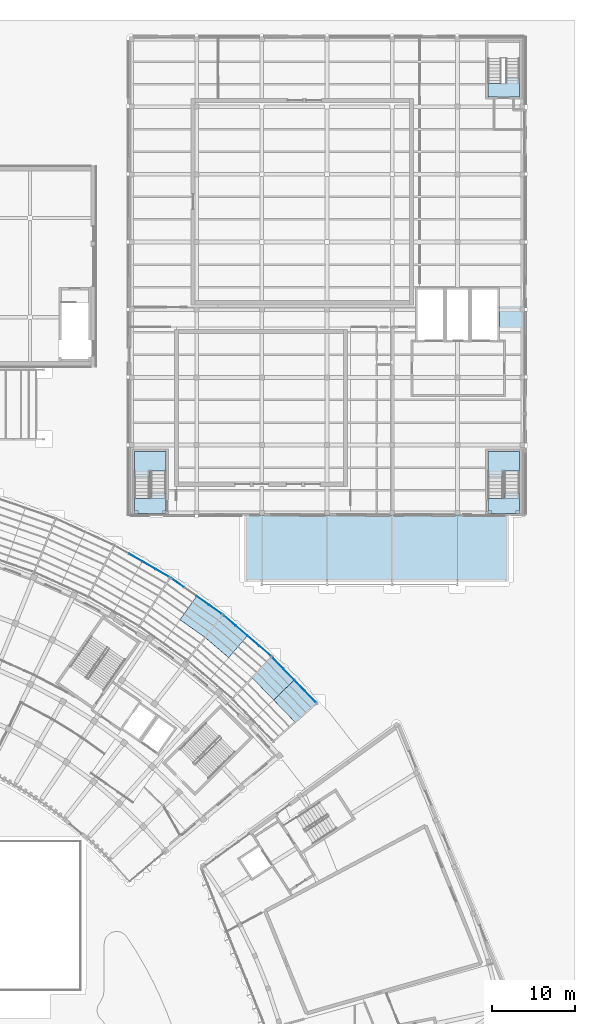
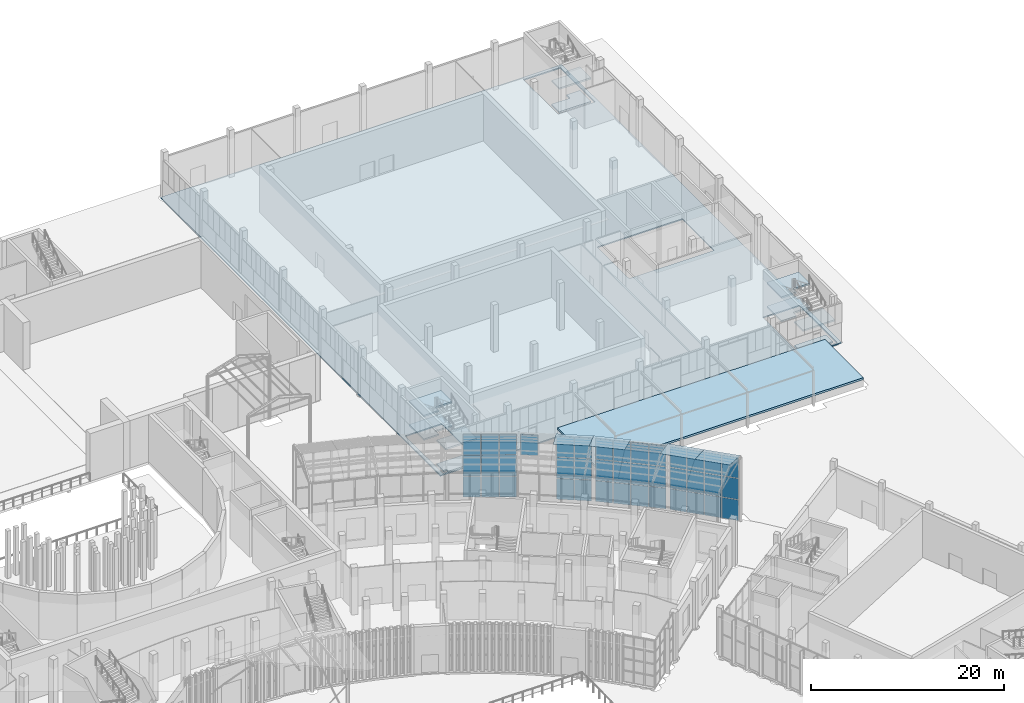
# One storey, part 88 of 155: 44 plates, 12 slabs, 7 elements without a shape of their own.
"""IFC4 building model written with IfcOpenShell, lengths in metres."""

from ifc_helpers import new_model, si_unit, direction, frame, origin, origin_2d, place, context, subcontext, project, spatial, polyline, rectangle, outline, extrude, material, layer, layer_set, type_object, element, aggregate, save


model = new_model("IFC4")

# Units and contexts
model_context = context("Model", 3, precision=1e-05, world=origin(), true_north=direction((0.0, 1.0)))
body_context = subcontext(model_context, "Body", "Model", "MODEL_VIEW")
ifc_project = project(units=[si_unit("LENGTHUNIT", "METRE"), si_unit("AREAUNIT", "SQUARE_METRE"), si_unit("VOLUMEUNIT", "CUBIC_METRE"), si_unit("PLANEANGLEUNIT", "RADIAN"), si_unit("MASSUNIT", "GRAM", prefix="KILO")], contexts=[model_context])

# Site, building, storey
site_placement = place(None, origin())
site = spatial("IfcSite", under=ifc_project, at=site_placement, CompositionType="ELEMENT")
building_placement = place(site_placement, origin())
building = spatial("IfcBuilding", under=site, at=building_placement, Name="Lunette Opera House", CompositionType="ELEMENT")
storey_placement = place(building_placement, origin())
storey = spatial("IfcBuildingStorey", under=building, at=storey_placement, Name="L00", CompositionType="ELEMENT", Elevation=0.0)

# Slabs
ifc_material_1 = material(Name="Concrete C35/45", Category="concrete")
ifc_layer_1 = layer(ifc_material_1, 0.199951171875)
ifc_layer_set_1 = layer_set([ifc_layer_1], Name="Concrete C35/45")
slab_type_1 = type_object("IfcSlabType", Name="CORE LANDING SLAB 200", PredefinedType="LANDING", material=ifc_layer_set_1)
slab_1_placement = place(storey_placement, frame((0.0, 0.0, -0.199951171875)))
element("IfcSlab", 1, at=slab_1_placement, inside=storey, type_object=slab_type_1, Name="ST18 floor landing", PredefinedType="LANDING", context=body_context, shape_type="SweptSolid", body=[
    extrude(outline(polyline([(136.699951171875, 78.199951171875), (136.699951171875, 80.0), (140.5, 80.0), (140.5, 78.60009765625), (140.10009765625, 78.60009765625), (140.10009765625, 78.199951171875), (137.10009765625, 78.199951171875), (137.10009765625, 78.60009765625), (136.699951171875, 78.60009765625), (136.699951171875, 78.199951171875)])), origin(), (0.0, 0.0, 1.0), 0.199951171875),
])
slab_2_placement = place(storey_placement, frame((0.0, 0.0, -0.199951171875)))
element("IfcSlab", 2, at=slab_2_placement, inside=storey, type_object=slab_type_1, Name="ST19 floor landing", PredefinedType="LANDING", context=body_context, shape_type="SweptSolid", body=[
    extrude(outline(polyline([(179.5, 128.699951171875), (179.5, 130.31005859375), (181.10009765625, 130.31005859375), (181.10009765625, 130.300048828125), (181.699951171875, 130.300048828125), (181.699951171875, 131.0), (183.300048828125, 131.0), (183.300048828125, 128.699951171875), (179.5, 128.699951171875)])), origin(), (0.0, 0.0, 1.0), 0.199951171875),
])
slab_3_placement = place(storey_placement, frame((0.0, 0.0, -0.199951171875)))
element("IfcSlab", 3, at=slab_3_placement, inside=storey, type_object=slab_type_1, Name="ST20 floor landing", PredefinedType="LANDING", context=body_context, shape_type="SweptSolid", body=[
    extrude(outline(polyline([(179.5, 80.0), (183.300048828125, 80.0), (183.300048828125, 78.199951171875), (183.300048828125, 78.60009765625), (182.89990234375, 78.60009765625), (182.89990234375, 78.199951171875), (179.89990234375, 78.199951171875), (179.89990234375, 78.60009765625), (179.5, 78.60009765625), (179.5, 80.0)])), origin(), (0.0, 0.0, 1.0), 0.199951171875),
])

# Curtain wall, plates
ifc_material_2 = material(Name="Aluminium", Category="aluminium")
ifc_layer_2 = layer(ifc_material_2, 0.139892578125)
ifc_layer_set_2 = layer_set([ifc_layer_2], Name="Aluminium")
curtain_wall_type = type_object("IfcCurtainWallType", Name="PASSAGE CURTAIN WALL", PredefinedType="NOTDEFINED", material=ifc_layer_set_2)
curtain_wall_1_placement = place(storey_placement, origin())
curtain_wall_1 = element("IfcCurtainWall", 4, at=curtain_wall_1_placement, inside=storey, type_object=curtain_wall_type, Name="Passage Curtain Wall EO3 L00", PredefinedType="NOTDEFINED")
ifc_material_3 = material(Name="Laminated glass", Category="glass")
ifc_layer_3 = layer(ifc_material_3, 0.028076171875)
ifc_layer_set_3 = layer_set([ifc_layer_3], Name="Laminated glass")
plate_type_1 = type_object("IfcPlateType", Name="CURTAIN PANEL LAMINATED GLASS 28", PredefinedType="CURTAIN_PANEL", material=ifc_layer_set_3)
plate_1_placement = place(storey_placement, frame((136.8046875, 72.86669921875, 0.06005859375), z_axis=(0.0, 0.0, 1.0), x_axis=(0.866937932475, -0.498416112536, 0.0)))
plate_1 = element("IfcPlate", 5, at=plate_1_placement, type_object=plate_type_1, Name="PP-X2009 panel 2.1", PredefinedType="CURTAIN_PANEL", context=body_context, shape_type="SweptSolid", body=[
    extrude(rectangle(XDim=1.818359375, YDim=0.028076171875, at=origin_2d()), origin(), (0.0, 0.0, 1.0), 2.610107421875),
])
plate_2_placement = place(storey_placement, frame((136.8046875, 72.86669921875, 2.72998046875), z_axis=(0.0, 0.0, 1.0), x_axis=(0.866937932475, -0.498416112536, 0.0)))
plate_2 = element("IfcPlate", 6, at=plate_2_placement, type_object=plate_type_1, Name="PP-X2009 panel 2.2", PredefinedType="CURTAIN_PANEL", context=body_context, shape_type="SweptSolid", body=[
    extrude(rectangle(XDim=1.818359375, YDim=0.028076171875, at=origin_2d()), origin(), (0.0, 0.0, 1.0), 2.639892578125),
])
plate_3_placement = place(storey_placement, frame((136.8046875, 72.86669921875, 5.43017578125), z_axis=(0.0, 0.0, 1.0), x_axis=(0.866937932475, -0.498416112536, 0.0)))
plate_3 = element("IfcPlate", 7, at=plate_3_placement, type_object=plate_type_1, Name="PP-X2009 panel 2.3", PredefinedType="CURTAIN_PANEL", context=body_context, shape_type="SweptSolid", body=[
    extrude(rectangle(XDim=1.818359375, YDim=0.028076171875, at=origin_2d()), origin(), (0.0, 0.0, 1.0), 2.610107421875),
])
plate_4_placement = place(storey_placement, frame((138.433349609375, 71.930419921875, 0.06005859375), z_axis=(0.0, 0.0, 1.0), x_axis=(0.866937932475, -0.498416112536, 0.0)))
plate_4 = element("IfcPlate", 8, at=plate_4_placement, type_object=plate_type_1, Name="PP-X2009 panel 3.1", PredefinedType="CURTAIN_PANEL", context=body_context, shape_type="SweptSolid", body=[
    extrude(rectangle(XDim=1.818359375, YDim=0.028076171875, at=origin_2d()), origin(), (0.0, 0.0, 1.0), 2.610107421875),
])
plate_5_placement = place(storey_placement, frame((138.433349609375, 71.930419921875, 2.72998046875), z_axis=(0.0, 0.0, 1.0), x_axis=(0.866937932475, -0.498416112536, 0.0)))
plate_5 = element("IfcPlate", 9, at=plate_5_placement, type_object=plate_type_1, Name="PP-X2009 panel 3.2", PredefinedType="CURTAIN_PANEL", context=body_context, shape_type="SweptSolid", body=[
    extrude(rectangle(XDim=1.818359375, YDim=0.028076171875, at=origin_2d()), origin(), (0.0, 0.0, 1.0), 2.639892578125),
])
plate_6_placement = place(storey_placement, frame((138.433349609375, 71.930419921875, 5.43017578125), z_axis=(0.0, 0.0, 1.0), x_axis=(0.866937932475, -0.498416112536, 0.0)))
plate_6 = element("IfcPlate", 10, at=plate_6_placement, type_object=plate_type_1, Name="PP-X2009 panel 3.3", PredefinedType="CURTAIN_PANEL", context=body_context, shape_type="SweptSolid", body=[
    extrude(rectangle(XDim=1.818359375, YDim=0.028076171875, at=origin_2d()), origin(), (0.0, 0.0, 1.0), 2.610107421875),
])
plate_7_placement = place(storey_placement, frame((140.048828125, 71.001708984375, 0.06005859375), z_axis=(0.0, 0.0, 1.0), x_axis=(0.866937932475, -0.498416112536, 0.0)))
plate_7 = element("IfcPlate", 11, at=plate_7_placement, type_object=plate_type_1, Name="PP-X2009 panel 4.1", PredefinedType="CURTAIN_PANEL", context=body_context, shape_type="SweptSolid", body=[
    extrude(rectangle(XDim=1.788330078125, YDim=0.028076171875, at=origin_2d()), origin(), (0.0, 0.0, 1.0), 2.610107421875),
])
plate_8_placement = place(storey_placement, frame((140.048828125, 71.001708984375, 2.72998046875), z_axis=(0.0, 0.0, 1.0), x_axis=(0.866937932475, -0.498416112536, 0.0)))
plate_8 = element("IfcPlate", 12, at=plate_8_placement, type_object=plate_type_1, Name="PP-X2009 panel 4.2", PredefinedType="CURTAIN_PANEL", context=body_context, shape_type="SweptSolid", body=[
    extrude(rectangle(XDim=1.788330078125, YDim=0.028076171875, at=origin_2d()), origin(), (0.0, 0.0, 1.0), 2.639892578125),
])
plate_9_placement = place(storey_placement, frame((140.048828125, 71.001708984375, 5.43017578125), z_axis=(0.0, 0.0, 1.0), x_axis=(0.866937932475, -0.498416112536, 0.0)))
plate_9 = element("IfcPlate", 13, at=plate_9_placement, type_object=plate_type_1, Name="PP-X2009 panel 4.3", PredefinedType="CURTAIN_PANEL", context=body_context, shape_type="SweptSolid", body=[
    extrude(rectangle(XDim=1.788330078125, YDim=0.028076171875, at=origin_2d()), origin(), (0.0, 0.0, 1.0), 2.610107421875),
])
aggregate(curtain_wall_1, [plate_1, plate_2, plate_3, plate_4, plate_5, plate_6, plate_7, plate_8, plate_9])

curtain_wall_2_placement = place(storey_placement, origin())
curtain_wall_2 = element("IfcCurtainWall", 14, at=curtain_wall_2_placement, inside=storey, type_object=curtain_wall_type, Name="Passage Curtain Wall EO4 L00", PredefinedType="NOTDEFINED")
plate_10_placement = place(storey_placement, frame((141.908203125, 69.8134765625, 5.43017578125), z_axis=(0.0, 0.0, 1.0), x_axis=(0.816691076431, -0.577075112682, 0.0)))
plate_10 = element("IfcPlate", 15, at=plate_10_placement, type_object=plate_type_1, Name="PP-X2010 panel 1.3", PredefinedType="CURTAIN_PANEL", context=body_context, shape_type="SweptSolid", body=[
    extrude(rectangle(XDim=1.7880859375, YDim=0.028076171875, at=origin_2d()), origin(), (0.0, 0.0, 1.0), 2.610107421875),
])
plate_11_placement = place(storey_placement, frame((144.96337890625, 67.654541015625, 0.06005859375), z_axis=(0.0, 0.0, 1.0), x_axis=(0.816691076431, -0.577075112682, 0.0)))
plate_11 = element("IfcPlate", 16, at=plate_11_placement, type_object=plate_type_1, Name="PP-X2010 panel 3.1", PredefinedType="CURTAIN_PANEL", context=body_context, shape_type="SweptSolid", body=[
    extrude(rectangle(XDim=1.818115234375, YDim=0.028076171875, at=origin_2d()), origin(), (0.0, 0.0, 1.0), 2.610107421875),
])
plate_12_placement = place(storey_placement, frame((144.96337890625, 67.654541015625, 2.72998046875), z_axis=(0.0, 0.0, 1.0), x_axis=(0.816691076431, -0.577075112682, 0.0)))
plate_12 = element("IfcPlate", 17, at=plate_12_placement, type_object=plate_type_1, Name="PP-X2010 panel 3.2", PredefinedType="CURTAIN_PANEL", context=body_context, shape_type="SweptSolid", body=[
    extrude(rectangle(XDim=1.818115234375, YDim=0.028076171875, at=origin_2d()), origin(), (0.0, 0.0, 1.0), 2.639892578125),
])
plate_13_placement = place(storey_placement, frame((144.96337890625, 67.654541015625, 5.43017578125), z_axis=(0.0, 0.0, 1.0), x_axis=(0.816691076431, -0.577075112682, 0.0)))
plate_13 = element("IfcPlate", 18, at=plate_13_placement, type_object=plate_type_1, Name="PP-X2010 panel 3.3", PredefinedType="CURTAIN_PANEL", context=body_context, shape_type="SweptSolid", body=[
    extrude(rectangle(XDim=1.818115234375, YDim=0.028076171875, at=origin_2d()), origin(), (0.0, 0.0, 1.0), 2.610107421875),
])
plate_14_placement = place(storey_placement, frame((146.48486328125, 66.57958984375, 0.06005859375), z_axis=(0.0, 0.0, 1.0), x_axis=(0.816691076431, -0.577075112682, 0.0)))
plate_14 = element("IfcPlate", 19, at=plate_14_placement, type_object=plate_type_1, Name="PP-X2010 panel 4.1", PredefinedType="CURTAIN_PANEL", context=body_context, shape_type="SweptSolid", body=[
    extrude(rectangle(XDim=1.7880859375, YDim=0.028076171875, at=origin_2d()), origin(), (0.0, 0.0, 1.0), 2.610107421875),
])
plate_15_placement = place(storey_placement, frame((146.48486328125, 66.57958984375, 2.72998046875), z_axis=(0.0, 0.0, 1.0), x_axis=(0.816691076431, -0.577075112682, 0.0)))
plate_15 = element("IfcPlate", 20, at=plate_15_placement, type_object=plate_type_1, Name="PP-X2010 panel 4.2", PredefinedType="CURTAIN_PANEL", context=body_context, shape_type="SweptSolid", body=[
    extrude(rectangle(XDim=1.7880859375, YDim=0.028076171875, at=origin_2d()), origin(), (0.0, 0.0, 1.0), 2.639892578125),
])
plate_16_placement = place(storey_placement, frame((146.48486328125, 66.57958984375, 5.43017578125), z_axis=(0.0, 0.0, 1.0), x_axis=(0.816691076431, -0.577075112682, 0.0)))
plate_16 = element("IfcPlate", 21, at=plate_16_placement, type_object=plate_type_1, Name="PP-X2010 panel 4.3", PredefinedType="CURTAIN_PANEL", context=body_context, shape_type="SweptSolid", body=[
    extrude(rectangle(XDim=1.7880859375, YDim=0.028076171875, at=origin_2d()), origin(), (0.0, 0.0, 1.0), 2.610107421875),
])
aggregate(curtain_wall_2, [plate_10, plate_11, plate_12, plate_13, plate_14, plate_15, plate_16])

curtain_wall_3_placement = place(storey_placement, origin())
curtain_wall_3 = element("IfcCurtainWall", 22, at=curtain_wall_3_placement, inside=storey, type_object=curtain_wall_type, Name="Passage Curtain Wall EO5 L00", PredefinedType="NOTDEFINED")
plate_17_placement = place(storey_placement, frame((148.225341796875, 65.222900390625, 0.06005859375), z_axis=(0.0, 0.0, 1.0), x_axis=(0.759200227916, -0.650857137882, 0.0)))
plate_17 = element("IfcPlate", 23, at=plate_17_placement, type_object=plate_type_1, Name="PP-X2011 panel 1.1", PredefinedType="CURTAIN_PANEL", context=body_context, shape_type="SweptSolid", body=[
    extrude(rectangle(XDim=1.788330078125, YDim=0.028076171875, at=origin_2d()), origin(), (0.0, 0.0, 1.0), 2.610107421875),
])
plate_18_placement = place(storey_placement, frame((148.225341796875, 65.222900390625, 2.72998046875), z_axis=(0.0, 0.0, 1.0), x_axis=(0.759200227916, -0.650857137882, 0.0)))
plate_18 = element("IfcPlate", 24, at=plate_18_placement, type_object=plate_type_1, Name="PP-X2011 panel 1.2", PredefinedType="CURTAIN_PANEL", context=body_context, shape_type="SweptSolid", body=[
    extrude(rectangle(XDim=1.788330078125, YDim=0.028076171875, at=origin_2d()), origin(), (0.0, 0.0, 1.0), 2.639892578125),
])
plate_19_placement = place(storey_placement, frame((148.225341796875, 65.222900390625, 5.43017578125), z_axis=(0.0, 0.0, 1.0), x_axis=(0.759200227916, -0.650857137882, 0.0)))
plate_19 = element("IfcPlate", 25, at=plate_19_placement, type_object=plate_type_1, Name="PP-X2011 panel 1.3", PredefinedType="CURTAIN_PANEL", context=body_context, shape_type="SweptSolid", body=[
    extrude(rectangle(XDim=1.788330078125, YDim=0.028076171875, at=origin_2d()), origin(), (0.0, 0.0, 1.0), 2.610107421875),
])
plate_20_placement = place(storey_placement, frame((149.639892578125, 64.01025390625, 0.06005859375), z_axis=(0.0, 0.0, 1.0), x_axis=(0.759200227916, -0.650857137882, 0.0)))
plate_20 = element("IfcPlate", 26, at=plate_20_placement, type_object=plate_type_1, Name="PP-X2011 panel 2.1", PredefinedType="CURTAIN_PANEL", context=body_context, shape_type="SweptSolid", body=[
    extrude(rectangle(XDim=1.818359375, YDim=0.028076171875, at=origin_2d()), origin(), (0.0, 0.0, 1.0), 2.610107421875),
])
plate_21_placement = place(storey_placement, frame((149.639892578125, 64.01025390625, 2.72998046875), z_axis=(0.0, 0.0, 1.0), x_axis=(0.759200227916, -0.650857137882, 0.0)))
plate_21 = element("IfcPlate", 27, at=plate_21_placement, type_object=plate_type_1, Name="PP-X2011 panel 2.2", PredefinedType="CURTAIN_PANEL", context=body_context, shape_type="SweptSolid", body=[
    extrude(rectangle(XDim=1.818359375, YDim=0.028076171875, at=origin_2d()), origin(), (0.0, 0.0, 1.0), 2.639892578125),
])
plate_22_placement = place(storey_placement, frame((149.639892578125, 64.01025390625, 5.43017578125), z_axis=(0.0, 0.0, 1.0), x_axis=(0.759200227916, -0.650857137882, 0.0)))
plate_22 = element("IfcPlate", 28, at=plate_22_placement, type_object=plate_type_1, Name="PP-X2011 panel 2.3", PredefinedType="CURTAIN_PANEL", context=body_context, shape_type="SweptSolid", body=[
    extrude(rectangle(XDim=1.818359375, YDim=0.028076171875, at=origin_2d()), origin(), (0.0, 0.0, 1.0), 2.610107421875),
])
plate_23_placement = place(storey_placement, frame((151.06591796875, 62.787841796875, 0.06005859375), z_axis=(0.0, 0.0, 1.0), x_axis=(0.759200227916, -0.650857137882, 0.0)))
plate_23 = element("IfcPlate", 29, at=plate_23_placement, type_object=plate_type_1, Name="PP-X2011 panel 3.1", PredefinedType="CURTAIN_PANEL", context=body_context, shape_type="SweptSolid", body=[
    extrude(rectangle(XDim=1.818359375, YDim=0.028076171875, at=origin_2d()), origin(), (0.0, 0.0, 1.0), 2.610107421875),
])
plate_24_placement = place(storey_placement, frame((151.06591796875, 62.787841796875, 2.72998046875), z_axis=(0.0, 0.0, 1.0), x_axis=(0.759200227916, -0.650857137882, 0.0)))
plate_24 = element("IfcPlate", 30, at=plate_24_placement, type_object=plate_type_1, Name="PP-X2011 panel 3.2", PredefinedType="CURTAIN_PANEL", context=body_context, shape_type="SweptSolid", body=[
    extrude(rectangle(XDim=1.818359375, YDim=0.028076171875, at=origin_2d()), origin(), (0.0, 0.0, 1.0), 2.639892578125),
])
plate_25_placement = place(storey_placement, frame((151.06591796875, 62.787841796875, 5.43017578125), z_axis=(0.0, 0.0, 1.0), x_axis=(0.759200227916, -0.650857137882, 0.0)))
plate_25 = element("IfcPlate", 31, at=plate_25_placement, type_object=plate_type_1, Name="PP-X2011 panel 3.3", PredefinedType="CURTAIN_PANEL", context=body_context, shape_type="SweptSolid", body=[
    extrude(rectangle(XDim=1.818359375, YDim=0.028076171875, at=origin_2d()), origin(), (0.0, 0.0, 1.0), 2.610107421875),
])
plate_26_placement = place(storey_placement, frame((152.480712890625, 61.574951171875, 0.06005859375), z_axis=(0.0, 0.0, 1.0), x_axis=(0.759200227916, -0.650857137882, 0.0)))
plate_26 = element("IfcPlate", 32, at=plate_26_placement, type_object=plate_type_1, Name="PP-X2011 panel 4.1", PredefinedType="CURTAIN_PANEL", context=body_context, shape_type="SweptSolid", body=[
    extrude(rectangle(XDim=1.788330078125, YDim=0.028076171875, at=origin_2d()), origin(), (0.0, 0.0, 1.0), 2.610107421875),
])
plate_27_placement = place(storey_placement, frame((152.480712890625, 61.574951171875, 2.72998046875), z_axis=(0.0, 0.0, 1.0), x_axis=(0.759200227916, -0.650857137882, 0.0)))
plate_27 = element("IfcPlate", 33, at=plate_27_placement, type_object=plate_type_1, Name="PP-X2011 panel 4.2", PredefinedType="CURTAIN_PANEL", context=body_context, shape_type="SweptSolid", body=[
    extrude(rectangle(XDim=1.788330078125, YDim=0.028076171875, at=origin_2d()), origin(), (0.0, 0.0, 1.0), 2.639892578125),
])
plate_28_placement = place(storey_placement, frame((152.480712890625, 61.574951171875, 5.43017578125), z_axis=(0.0, 0.0, 1.0), x_axis=(0.759200227916, -0.650857137882, 0.0)))
plate_28 = element("IfcPlate", 34, at=plate_28_placement, type_object=plate_type_1, Name="PP-X2011 panel 4.3", PredefinedType="CURTAIN_PANEL", context=body_context, shape_type="SweptSolid", body=[
    extrude(rectangle(XDim=1.788330078125, YDim=0.028076171875, at=origin_2d()), origin(), (0.0, 0.0, 1.0), 2.610107421875),
])
aggregate(curtain_wall_3, [plate_17, plate_18, plate_19, plate_20, plate_21, plate_22, plate_23, plate_24, plate_25, plate_26, plate_27, plate_28])

curtain_wall_4_placement = place(storey_placement, origin())
curtain_wall_4 = element("IfcCurtainWall", 35, at=curtain_wall_4_placement, inside=storey, type_object=curtain_wall_type, Name="Passage Curtain Wall EO6 L00", PredefinedType="NOTDEFINED")
plate_29_placement = place(storey_placement, frame((154.08642578125, 60.06201171875, 0.06005859375), z_axis=(0.0, 0.0, 1.0), x_axis=(0.695230751825, -0.718786617652, 0.0)))
plate_29 = element("IfcPlate", 36, at=plate_29_placement, type_object=plate_type_1, Name="PP-X2012 panel 1.1", PredefinedType="CURTAIN_PANEL", context=body_context, shape_type="SweptSolid", body=[
    extrude(rectangle(XDim=1.78857421875, YDim=0.028076171875, at=origin_2d()), origin(), (0.0, 0.0, 1.0), 2.610107421875),
])
plate_30_placement = place(storey_placement, frame((154.08642578125, 60.06201171875, 2.72998046875), z_axis=(0.0, 0.0, 1.0), x_axis=(0.695230751825, -0.718786617652, 0.0)))
plate_30 = element("IfcPlate", 37, at=plate_30_placement, type_object=plate_type_1, Name="PP-X2012 panel 1.2", PredefinedType="CURTAIN_PANEL", context=body_context, shape_type="SweptSolid", body=[
    extrude(rectangle(XDim=1.78857421875, YDim=0.028076171875, at=origin_2d()), origin(), (0.0, 0.0, 1.0), 2.639892578125),
])
plate_31_placement = place(storey_placement, frame((154.08642578125, 60.06201171875, 5.43017578125), z_axis=(0.0, 0.0, 1.0), x_axis=(0.695230751825, -0.718786617652, 0.0)))
plate_31 = element("IfcPlate", 38, at=plate_31_placement, type_object=plate_type_1, Name="PP-X2012 panel 1.3", PredefinedType="CURTAIN_PANEL", context=body_context, shape_type="SweptSolid", body=[
    extrude(rectangle(XDim=1.78857421875, YDim=0.028076171875, at=origin_2d()), origin(), (0.0, 0.0, 1.0), 2.610107421875),
])
plate_32_placement = place(storey_placement, frame((155.382080078125, 58.72265625, 0.06005859375), z_axis=(0.0, 0.0, 1.0), x_axis=(0.695230751825, -0.718786617652, 0.0)))
plate_32 = element("IfcPlate", 39, at=plate_32_placement, type_object=plate_type_1, Name="PP-X2012 panel 2.1", PredefinedType="CURTAIN_PANEL", context=body_context, shape_type="SweptSolid", body=[
    extrude(rectangle(XDim=1.818603515625, YDim=0.028076171875, at=origin_2d()), origin(), (0.0, 0.0, 1.0), 2.610107421875),
])
plate_33_placement = place(storey_placement, frame((155.382080078125, 58.72265625, 2.72998046875), z_axis=(0.0, 0.0, 1.0), x_axis=(0.695230751825, -0.718786617652, 0.0)))
plate_33 = element("IfcPlate", 40, at=plate_33_placement, type_object=plate_type_1, Name="PP-X2012 panel 2.2", PredefinedType="CURTAIN_PANEL", context=body_context, shape_type="SweptSolid", body=[
    extrude(rectangle(XDim=1.818603515625, YDim=0.028076171875, at=origin_2d()), origin(), (0.0, 0.0, 1.0), 2.639892578125),
])
plate_34_placement = place(storey_placement, frame((155.382080078125, 58.72265625, 5.43017578125), z_axis=(0.0, 0.0, 1.0), x_axis=(0.695230751825, -0.718786617652, 0.0)))
plate_34 = element("IfcPlate", 41, at=plate_34_placement, type_object=plate_type_1, Name="PP-X2012 panel 2.3", PredefinedType="CURTAIN_PANEL", context=body_context, shape_type="SweptSolid", body=[
    extrude(rectangle(XDim=1.818603515625, YDim=0.028076171875, at=origin_2d()), origin(), (0.0, 0.0, 1.0), 2.610107421875),
])
plate_35_placement = place(storey_placement, frame((156.68798828125, 57.372314453125, 0.06005859375), z_axis=(0.0, 0.0, 1.0), x_axis=(0.695230751825, -0.718786617652, 0.0)))
plate_35 = element("IfcPlate", 42, at=plate_35_placement, type_object=plate_type_1, Name="PP-X2012 panel 3.1", PredefinedType="CURTAIN_PANEL", context=body_context, shape_type="SweptSolid", body=[
    extrude(rectangle(XDim=1.818603515625, YDim=0.028076171875, at=origin_2d()), origin(), (0.0, 0.0, 1.0), 2.610107421875),
])
plate_36_placement = place(storey_placement, frame((156.68798828125, 57.372314453125, 2.72998046875), z_axis=(0.0, 0.0, 1.0), x_axis=(0.695230751825, -0.718786617652, 0.0)))
plate_36 = element("IfcPlate", 43, at=plate_36_placement, type_object=plate_type_1, Name="PP-X2012 panel 3.2", PredefinedType="CURTAIN_PANEL", context=body_context, shape_type="SweptSolid", body=[
    extrude(rectangle(XDim=1.818603515625, YDim=0.028076171875, at=origin_2d()), origin(), (0.0, 0.0, 1.0), 2.639892578125),
])
plate_37_placement = place(storey_placement, frame((156.68798828125, 57.372314453125, 5.43017578125), z_axis=(0.0, 0.0, 1.0), x_axis=(0.695230751825, -0.718786617652, 0.0)))
plate_37 = element("IfcPlate", 44, at=plate_37_placement, type_object=plate_type_1, Name="PP-X2012 panel 3.3", PredefinedType="CURTAIN_PANEL", context=body_context, shape_type="SweptSolid", body=[
    extrude(rectangle(XDim=1.818603515625, YDim=0.028076171875, at=origin_2d()), origin(), (0.0, 0.0, 1.0), 2.610107421875),
])
plate_38_placement = place(storey_placement, frame((157.983642578125, 56.032958984375, 0.06005859375), z_axis=(0.0, 0.0, 1.0), x_axis=(0.695230751825, -0.718786617652, 0.0)))
plate_38 = element("IfcPlate", 45, at=plate_38_placement, type_object=plate_type_1, Name="PP-X2012 panel 4.1", PredefinedType="CURTAIN_PANEL", context=body_context, shape_type="SweptSolid", body=[
    extrude(rectangle(XDim=1.78857421875, YDim=0.028076171875, at=origin_2d()), origin(), (0.0, 0.0, 1.0), 2.610107421875),
])
plate_39_placement = place(storey_placement, frame((157.983642578125, 56.032958984375, 2.72998046875), z_axis=(0.0, 0.0, 1.0), x_axis=(0.695230751825, -0.718786617652, 0.0)))
plate_39 = element("IfcPlate", 46, at=plate_39_placement, type_object=plate_type_1, Name="PP-X2012 panel 4.2", PredefinedType="CURTAIN_PANEL", context=body_context, shape_type="SweptSolid", body=[
    extrude(rectangle(XDim=1.78857421875, YDim=0.028076171875, at=origin_2d()), origin(), (0.0, 0.0, 1.0), 2.639892578125),
])
plate_40_placement = place(storey_placement, frame((157.983642578125, 56.032958984375, 5.43017578125), z_axis=(0.0, 0.0, 1.0), x_axis=(0.695230751825, -0.718786617652, 0.0)))
plate_40 = element("IfcPlate", 47, at=plate_40_placement, type_object=plate_type_1, Name="PP-X2012 panel 4.3", PredefinedType="CURTAIN_PANEL", context=body_context, shape_type="SweptSolid", body=[
    extrude(rectangle(XDim=1.78857421875, YDim=0.028076171875, at=origin_2d()), origin(), (0.0, 0.0, 1.0), 2.610107421875),
])
aggregate(curtain_wall_4, [plate_29, plate_30, plate_31, plate_32, plate_33, plate_34, plate_35, plate_36, plate_37, plate_38, plate_39, plate_40])

# Slabs
ifc_material_4 = material(Name="Concrete C35/45", Category="concrete")
ifc_layer_4 = layer(ifc_material_4, 0.25)
ifc_layer_set_4 = layer_set([ifc_layer_4], Name="Concrete C35/45")
slab_type_2 = type_object("IfcSlabType", Name="DOCK SLAB 250", PredefinedType="FLOOR", material=ifc_layer_set_4)
slab_4_placement = place(storey_placement, frame((0.0, 0.0, 0.85009765625)))
element("IfcSlab", 48, at=slab_4_placement, inside=storey, type_object=slab_type_2, Name="slab-WW-L00-DOCK", PredefinedType="FLOOR", context=body_context, shape_type="SweptSolid", body=[
    extrude(outline(polyline([(182.0, 70.0), (182.0, 78.0), (150.0, 78.0), (150.0, 70.0), (182.0, 70.0)])), origin(), (0.0, 0.0, 1.0), 0.25),
])
ifc_material_5 = material(Name="Concrete C35/45", Category="concrete")
ifc_layer_5 = layer(ifc_material_5, 0.14990234375)
ifc_layer_set_5 = layer_set([ifc_layer_5], Name="Concrete C35/45")
slab_type_3 = type_object("IfcSlabType", Name="FLOOR SLAB 150", PredefinedType="FLOOR", material=ifc_layer_set_5)
slab_5_placement = place(storey_placement, frame((0.0, 0.0, -0.14990234375)))
element("IfcSlab", 49, at=slab_5_placement, inside=storey, type_object=slab_type_3, Name="slab-WW-L00-F1", PredefinedType="FLOOR", context=body_context, shape_type="SweptSolid", body=[
    extrude(outline(polyline([(136.0, 78.0), (184.0, 78.0), (184.0, 136.0), (136.0, 136.0), (136.0, 78.0)]), holes=[polyline([(136.39990234375, 78.199951171875), (136.39990234375, 86.0), (140.800048828125, 86.0), (140.800048828125, 78.199951171875), (136.39990234375, 78.199951171875)]), polyline([(179.199951171875, 86.0), (183.60009765625, 86.0), (183.60009765625, 78.199951171875), (179.199951171875, 78.199951171875), (179.199951171875, 86.0)]), polyline([(170.699951171875, 105.60009765625), (174.300048828125, 105.60009765625), (177.300048828125, 105.60009765625), (180.89990234375, 105.60009765625), (180.89990234375, 99.0), (177.300048828125, 99.0), (174.300048828125, 99.0), (170.699951171875, 99.0), (170.699951171875, 105.60009765625)]), polyline([(179.199951171875, 135.60009765625), (183.60009765625, 135.60009765625), (183.60009765625, 128.39990234375), (179.199951171875, 128.39990234375), (179.199951171875, 135.60009765625)])]), origin(), (0.0, 0.0, 1.0), 0.14990234375),
])

# Plates
ifc_material_6 = material(Name="Laminated glass", Category="glass")
ifc_layer_6 = layer(ifc_material_6, 0.02001953125)
ifc_layer_set_6 = layer_set([ifc_layer_6], Name="Laminated glass")
plate_type_2 = type_object("IfcPlateType", Name="PASSAGE ROOF GLASS 20", PredefinedType="SHEET", material=ifc_layer_set_6)
plate_41_placement = place(storey_placement, frame((144.197021484375, 68.196044921875, 8.339111328125), z_axis=(0.173176489017, 0.245036496404, 0.953921914562), x_axis=(0.81667174577, -0.577102468663, -1.8008418e-05)))
element("IfcPlate", 50, at=plate_41_placement, inside=storey, type_object=plate_type_2, Name="Passage roof glass E4B10", PredefinedType="SHEET", context=body_context, shape_type="SweptSolid", body=[
    extrude(outline(polyline([(0.0, 0.0), (3.906010772313059, 4.440892098500626e-16), (3.7423304614623856, -3.662476824164635), (-0.0013945264932362885, -3.6620177094814643), (0.0, 0.0)])), origin(), (0.0, 0.0, -1.0), 0.02001953125),
])
plate_42_placement = place(storey_placement, frame((147.386962890625, 65.94189453125, 8.339111328125), z_axis=(0.195286324218, 0.227805317895, 0.953922422796), x_axis=(0.759180697132, -0.650879918887, 1.7086372e-05)))
element("IfcPlate", 51, at=plate_42_placement, inside=storey, type_object=plate_type_2, Name="Passage roof glass E5B00", PredefinedType="SHEET", context=body_context, shape_type="SweptSolid", body=[
    extrude(outline(polyline([(0.0, 0.0), (3.906946172993821, 4.440892098500626e-16), (3.906683861377617, -3.6620494767517), (0.16349481695203844, -3.662485109467787), (0.0, 0.0)])), origin(), (0.0, 0.0, -1.0), 0.02001953125),
])
plate_43_placement = place(storey_placement, frame((153.319091796875, 60.85595703125, 8.339111328125), z_axis=(0.215699030957, 0.20859459732, 0.953919400166), x_axis=(0.695108843638, -0.718904510205, 2.6514646e-05)))
element("IfcPlate", 52, at=plate_43_placement, inside=storey, type_object=plate_type_2, Name="Passage roof glass E6B00", PredefinedType="SHEET", context=body_context, shape_type="SweptSolid", body=[
    extrude(outline(polyline([(0.0, 0.0), (3.9070769449557226, -2.220446049250313e-16), (3.9073574977133525, -3.6618093991853473), (0.1632815927184708, -3.662485482675684), (0.0, 0.0)])), origin(), (0.0, 0.0, -1.0), 0.02001953125),
])
plate_44_placement = place(storey_placement, frame((156.034912109375, 58.047119140625, 8.339111328125), z_axis=(0.215701449928, 0.208605251456, 0.953916523373), x_axis=(0.695224763288, -0.718792409663, -1.7945077e-05)))
element("IfcPlate", 53, at=plate_44_placement, inside=storey, type_object=plate_type_2, Name="Passage roof glass E6B10", PredefinedType="SHEET", context=body_context, shape_type="SweptSolid", body=[
    extrude(outline(polyline([(0.0, 0.0), (3.906720162969395, 0.0), (3.742889968685333, -3.6622668818059045), (-0.00033158073578797427, -3.6618093957931137), (0.0, 0.0)])), origin(), (0.0, 0.0, -1.0), 0.02001953125),
])

# Stair, slabs
ifc_material_7 = material(Name="Concrete C35/45", Category="concrete")
stair_type_1 = type_object("IfcStairType", Name="DOGLEG STAIR 1800", PredefinedType="HALF_TURN_STAIR", material=ifc_material_7)
stair_1_placement = place(storey_placement, origin())
stair_1 = element("IfcStair", 54, at=stair_1_placement, inside=storey, type_object=stair_type_1, Name="L00 stair ST18", PredefinedType="HALF_TURN_STAIR")
ifc_material_8 = material(Name="Concrete C35/45", Category="concrete")
ifc_layer_7 = layer(ifc_material_8, 0.199951171875)
ifc_layer_set_7 = layer_set([ifc_layer_7], Name="Concrete C35/45")
slab_type_4 = type_object("IfcSlabType", Name="STAIR LANDING SLAB 200", PredefinedType="LANDING", material=ifc_layer_set_7)
slab_6_placement = place(storey_placement, frame((0.0, 0.0, 1.300048828125)))
slab_6 = element("IfcSlab", 55, at=slab_6_placement, type_object=slab_type_4, Name="ST18 landing 1", PredefinedType="LANDING", context=body_context, shape_type="SweptSolid", body=[
    extrude(outline(polyline([(140.5, 83.35009765625), (138.699951171875, 83.35009765625), (138.699951171875, 83.360107421875), (138.5, 83.360107421875), (138.5, 82.659912109375), (136.699951171875, 82.659912109375), (136.699951171875, 85.699951171875), (140.5, 85.699951171875), (140.5, 83.35009765625)])), origin(), (0.0, 0.0, 1.0), 0.199951171875),
])
slab_7_placement = place(storey_placement, frame((0.0, 0.0, 2.800048828125)))
slab_7 = element("IfcSlab", 56, at=slab_7_placement, type_object=slab_type_4, Name="ST18 landing 2", PredefinedType="LANDING", context=body_context, shape_type="SweptSolid", body=[
    extrude(outline(polyline([(136.699951171875, 78.199951171875), (136.699951171875, 80.010009765625), (138.5, 80.010009765625), (138.5, 80.0), (138.699951171875, 80.0), (138.699951171875, 80.699951171875), (140.5, 80.699951171875), (140.5, 78.199951171875), (136.699951171875, 78.199951171875)])), origin(), (0.0, 0.0, 1.0), 0.199951171875),
])
slab_8_placement = place(storey_placement, frame((0.0, 0.0, 4.300048828125)))
slab_8 = element("IfcSlab", 57, at=slab_8_placement, type_object=slab_type_4, Name="ST18 landing 3", PredefinedType="LANDING", context=body_context, shape_type="SweptSolid", body=[
    extrude(outline(polyline([(140.5, 83.35009765625), (138.699951171875, 83.35009765625), (138.699951171875, 83.360107421875), (138.5, 83.360107421875), (138.5, 82.659912109375), (136.699951171875, 82.659912109375), (136.699951171875, 85.699951171875), (140.5, 85.699951171875), (140.5, 83.35009765625)])), origin(), (0.0, 0.0, 1.0), 0.199951171875),
])
aggregate(stair_1, [slab_6, slab_7, slab_8])

# Stair, slab
ifc_material_9 = material(Name="Concrete C35/45", Category="concrete")
stair_type_2 = type_object("IfcStairType", Name="DOGLEG STAIR 1600", PredefinedType="HALF_TURN_STAIR", material=ifc_material_9)
stair_2_placement = place(storey_placement, origin())
stair_2 = element("IfcStair", 58, at=stair_2_placement, inside=storey, type_object=stair_type_2, Name="L00 stair ST19", PredefinedType="HALF_TURN_STAIR")
slab_9_placement = place(storey_placement, frame((0.0, 0.0, 2.800048828125)))
slab_9 = element("IfcSlab", 59, at=slab_9_placement, type_object=slab_type_4, Name="ST19 landing 2", PredefinedType="LANDING", context=body_context, shape_type="SweptSolid", body=[
    extrude(outline(polyline([(179.5, 128.699951171875), (179.5, 130.31005859375), (181.10009765625, 130.31005859375), (181.10009765625, 130.300048828125), (181.699951171875, 130.300048828125), (181.699951171875, 131.0), (183.300048828125, 131.0), (183.300048828125, 128.699951171875), (179.5, 128.699951171875)])), origin(), (0.0, 0.0, 1.0), 0.199951171875),
])
aggregate(stair_2, [slab_9])

# Stair, slabs
stair_3_placement = place(storey_placement, origin())
stair_3 = element("IfcStair", 60, at=stair_3_placement, inside=storey, type_object=stair_type_1, Name="L00 stair ST20", PredefinedType="HALF_TURN_STAIR")
slab_10_placement = place(storey_placement, frame((0.0, 0.0, 1.300048828125)))
slab_10 = element("IfcSlab", 61, at=slab_10_placement, type_object=slab_type_4, Name="ST20 landing 1", PredefinedType="LANDING", context=body_context, shape_type="SweptSolid", body=[
    extrude(outline(polyline([(183.300048828125, 83.35009765625), (181.5, 83.35009765625), (181.5, 83.360107421875), (181.300048828125, 83.360107421875), (181.300048828125, 82.659912109375), (179.5, 82.659912109375), (179.5, 85.699951171875), (183.300048828125, 85.699951171875), (183.300048828125, 83.35009765625)])), origin(), (0.0, 0.0, 1.0), 0.199951171875),
])
slab_11_placement = place(storey_placement, frame((0.0, 0.0, 2.800048828125)))
slab_11 = element("IfcSlab", 62, at=slab_11_placement, type_object=slab_type_4, Name="ST20 landing 2", PredefinedType="LANDING", context=body_context, shape_type="SweptSolid", body=[
    extrude(outline(polyline([(179.5, 78.199951171875), (179.5, 80.010009765625), (181.300048828125, 80.010009765625), (181.300048828125, 80.0), (181.5, 80.0), (181.5, 80.699951171875), (183.300048828125, 80.699951171875), (183.300048828125, 78.199951171875), (179.5, 78.199951171875)])), origin(), (0.0, 0.0, 1.0), 0.199951171875),
])
slab_12_placement = place(storey_placement, frame((0.0, 0.0, 4.300048828125)))
slab_12 = element("IfcSlab", 63, at=slab_12_placement, type_object=slab_type_4, Name="ST20 landing 3", PredefinedType="LANDING", context=body_context, shape_type="SweptSolid", body=[
    extrude(outline(polyline([(183.300048828125, 83.35009765625), (181.5, 83.35009765625), (181.5, 83.360107421875), (181.300048828125, 83.360107421875), (181.300048828125, 82.659912109375), (179.5, 82.659912109375), (179.5, 85.699951171875), (183.300048828125, 85.699951171875), (183.300048828125, 83.35009765625)])), origin(), (0.0, 0.0, 1.0), 0.199951171875),
])
aggregate(stair_3, [slab_10, slab_11, slab_12])

save(model, "model.ifc")
